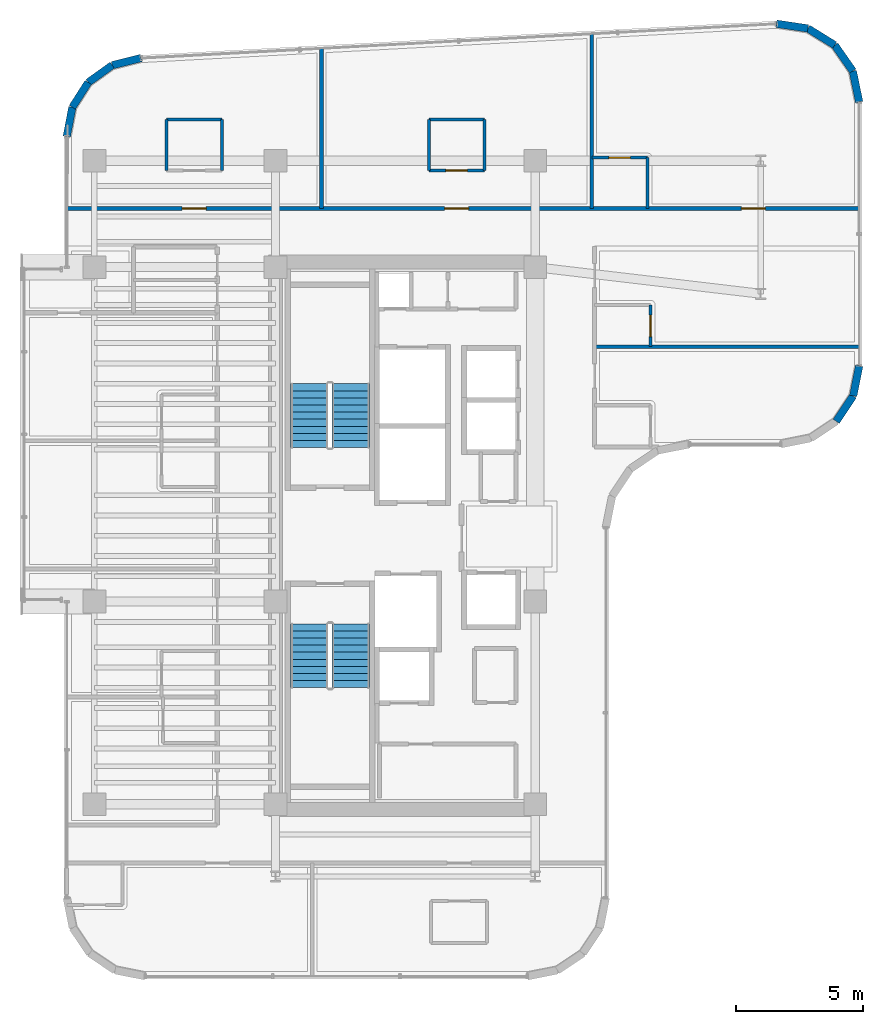
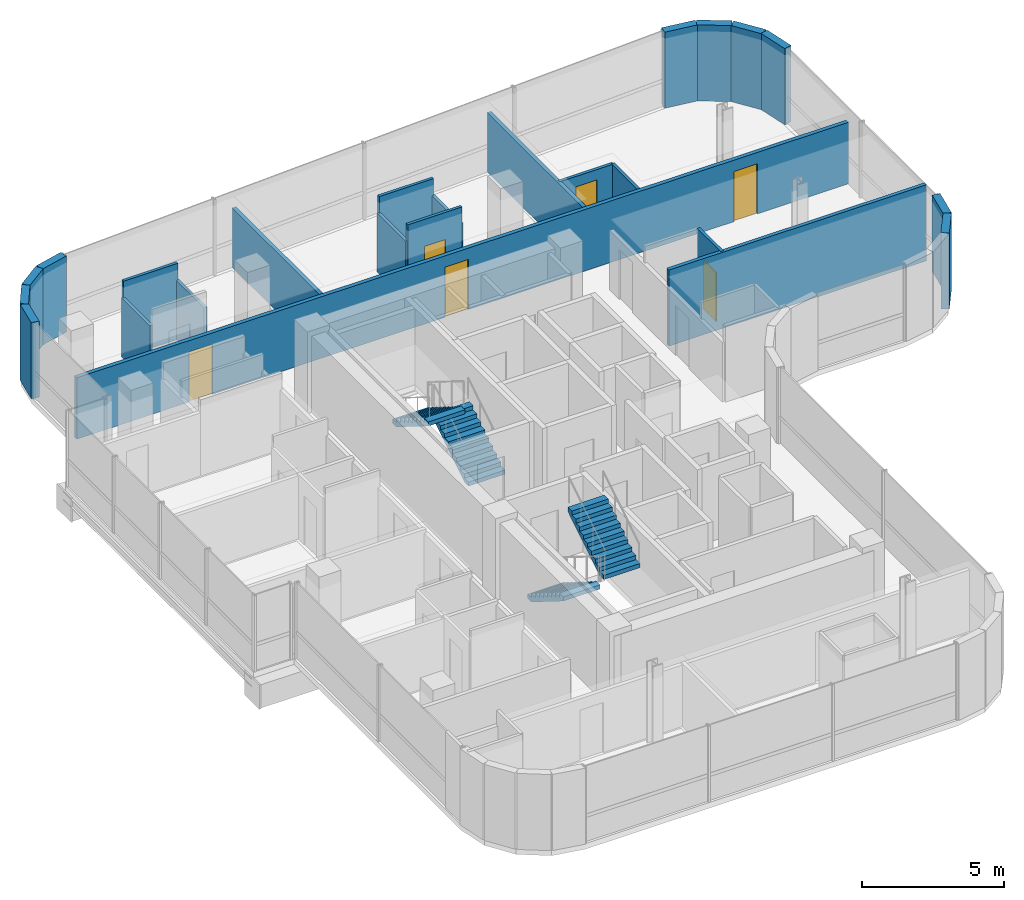
# One storey, part 19 of 22: 24 walls, 6 doors, 4 stair flights, 6 openings, 2 elements without a shape of their own.
"""IFC4 building model written with IfcOpenShell, lengths in metres."""

from ifc_helpers import new_model, si_unit, direction, frame, frame_2d, origin, place, context, subcontext, project, spatial, polyline, rectangle, outline, extrude, material, layer, layer_set, type_object, element, fill, aggregate, save


model = new_model("IFC4")

# Units and contexts
model_context = context("Model", 3, precision=1e-05, world=origin(), true_north=direction((0.0, 1.0)))
body_context = subcontext(model_context, "Body", "Model", "MODEL_VIEW")
ifc_project = project(units=[si_unit("LENGTHUNIT", "METRE"), si_unit("AREAUNIT", "SQUARE_METRE"), si_unit("VOLUMEUNIT", "CUBIC_METRE"), si_unit("PLANEANGLEUNIT", "RADIAN"), si_unit("MASSUNIT", "GRAM", prefix="KILO")], contexts=[model_context])

# Site, building, storey
site_placement = place(None, origin())
site = spatial("IfcSite", under=ifc_project, at=site_placement, CompositionType="ELEMENT")
building_placement = place(site_placement, origin())
building = spatial("IfcBuilding", under=site, at=building_placement, Name="Valdorenza Pilgrim Sanctuary Tower", CompositionType="ELEMENT")
storey_placement = place(building_placement, frame((0.0, 0.0, 212.5)))
storey = spatial("IfcBuildingStorey", under=building, at=storey_placement, Name="L54", CompositionType="ELEMENT", Elevation=212.5)

# Wall, openings, doors
ifc_material_1 = material(Name="Acoustic twin-stud gypsum partition", Category="gypsum")
ifc_layer_1 = layer(ifc_material_1, 0.159912109375, Name="Acoustic twin-stud gypsum partition")
ifc_layer_set_1 = layer_set([ifc_layer_1], Name="Acoustic twin-stud gypsum partition")
wall_type_1 = type_object("IfcWallType", Name="WAL-COR-160", PredefinedType="PARTITIONING", material=ifc_layer_set_1)
wall_1_placement = place(storey_placement, frame((-30.889892578125, 12.919921875, 0.0), z_axis=(0.0, 0.0, 1.0), x_axis=(1.0, 0.0, 0.0)))
wall_1 = element("IfcWall", 1, at=wall_1_placement, inside=storey, type_object=wall_type_1, Name="L54 North Corridor Wall", PredefinedType="PARTITIONING", context=body_context, shape_type="SweptSolid", body=[
    extrude(rectangle(XDim=31.27978515625, YDim=0.159912109375, at=frame_2d((15.639892578125, 0.0))), origin(), (0.0, 0.0, 1.0), 2.634033203125),
])
opening_1_placement = place(wall_1_placement, frame((4.553955078125, 0.0, 0.0)))
opening_1 = element("IfcOpeningElement", 2, at=opening_1_placement, cuts=wall_1, Name="Opening DR-UN1", PredefinedType="OPENING", context=body_context, shape_type="SweptSolid", body=[
    extrude(rectangle(XDim=0.949951171875, YDim=2.14990234375, at=frame_2d((0.47509765625, 1.074951171875))), frame((0.0, 0.0947265625, 0.0), z_axis=(0.0, -1.0, 0.0), x_axis=(1.0, 0.0, 0.0)), (0.0, 0.0, 1.0), 0.189697265625),
])
opening_2_placement = place(wall_1_placement, frame((14.9150390625, 0.0, 0.0)))
opening_2 = element("IfcOpeningElement", 3, at=opening_2_placement, cuts=wall_1, Name="Opening DR-UN1", PredefinedType="OPENING", context=body_context, shape_type="SweptSolid", body=[
    extrude(rectangle(XDim=0.949951171875, YDim=2.14990234375, at=frame_2d((0.47509765625, 1.074951171875))), frame((0.0, 0.0947265625, 0.0), z_axis=(0.0, -1.0, 0.0), x_axis=(1.0, 0.0, 0.0)), (0.0, 0.0, 1.0), 0.189697265625),
])
opening_3_placement = place(wall_1_placement, frame((26.626953125, 0.0, 0.0)))
opening_3 = element("IfcOpeningElement", 4, at=opening_3_placement, cuts=wall_1, Name="Opening DR-UN1", PredefinedType="OPENING", context=body_context, shape_type="SweptSolid", body=[
    extrude(rectangle(XDim=0.949951171875, YDim=2.14990234375, at=frame_2d((0.47509765625, 1.074951171875))), frame((0.0, 0.0947265625, 0.0), z_axis=(0.0, -1.0, 0.0), x_axis=(1.0, 0.0, 0.0)), (0.0, 0.0, 1.0), 0.189697265625),
])
ifc_material_2 = material(Name="Solid-core European oak timber", Category="wood")
door_type_1 = type_object("IfcDoorType", Name="DR-UNIT-950", OperationType="NOTDEFINED", PredefinedType="DOOR", material=ifc_material_2)
door_1_placement = place(opening_1_placement, origin())
door_1 = element("IfcDoor", 5, at=door_1_placement, inside=storey, type_object=door_type_1, Name="L54 North Guest Room L54-N1 Entrance Door", OperationType="SINGLE_SWING_RIGHT", OverallHeight=2.14990234375, OverallWidth=0.949951171875, PredefinedType="DOOR", context=body_context, shape_type="SweptSolid", body=[
    extrude(rectangle(XDim=0.949951171875, YDim=2.14990234375, at=frame_2d((0.47509765625, 1.074951171875))), frame((0.0, 0.02490234375, 0.0), z_axis=(0.0, -1.0, 0.0), x_axis=(1.0, 0.0, 0.0)), (0.0, 0.0, 1.0), 0.050048828125),
])
fill(opening_1, door_1)
door_2_placement = place(opening_2_placement, origin())
door_2 = element("IfcDoor", 6, at=door_2_placement, inside=storey, type_object=door_type_1, Name="L54 North Guest Room L54-N2 Entrance Door", OperationType="SINGLE_SWING_RIGHT", OverallHeight=2.14990234375, OverallWidth=0.949951171875, PredefinedType="DOOR", context=body_context, shape_type="SweptSolid", body=[
    extrude(rectangle(XDim=0.949951171875, YDim=2.14990234375, at=frame_2d((0.47509765625, 1.074951171875))), frame((0.0, 0.02490234375, 0.0), z_axis=(0.0, -1.0, 0.0), x_axis=(1.0, 0.0, 0.0)), (0.0, 0.0, 1.0), 0.050048828125),
])
fill(opening_2, door_2)
door_3_placement = place(opening_3_placement, origin())
door_3 = element("IfcDoor", 7, at=door_3_placement, inside=storey, type_object=door_type_1, Name="L54 North Guest Room L54-N3 Entrance Door", OperationType="SINGLE_SWING_RIGHT", OverallHeight=2.14990234375, OverallWidth=0.949951171875, PredefinedType="DOOR", context=body_context, shape_type="SweptSolid", body=[
    extrude(rectangle(XDim=0.949951171875, YDim=2.14990234375, at=frame_2d((0.47509765625, 1.074951171875))), frame((0.0, 0.02490234375, 0.0), z_axis=(0.0, -1.0, 0.0), x_axis=(1.0, 0.0, 0.0)), (0.0, 0.0, 1.0), 0.050048828125),
])
fill(opening_3, door_3)

# Walls
ifc_material_3 = material(Name="Honed travertine limestone", Category="masonry")
ifc_layer_2 = layer(ifc_material_3, 0.300048828125, Name="Honed travertine limestone")
ifc_layer_set_2 = layer_set([ifc_layer_2], Name="Honed travertine limestone")
wall_type_2 = type_object("IfcWallType", Name="WAL-EXT-300", PredefinedType="SOLIDWALL", material=ifc_layer_set_2)
wall_2_placement = place(storey_placement, frame((-30.889892578125, 15.757568359375, 0.0), z_axis=(0.0, 0.0, 1.0), x_axis=(0.18831542659, 0.982108598938, 0.0)))
element("IfcWall", 8, at=wall_2_placement, inside=storey, type_object=wall_type_2, Name="L54 Rounded Wind-Corner Stone Pier 2", PredefinedType="SOLIDWALL", context=body_context, shape_type="SweptSolid", body=[
    extrude(rectangle(XDim=1.174560546875, YDim=0.300048828125, at=frame_2d((0.58740234375, 0.0))), origin(), (0.0, 0.0, 1.0), 3.260009765625),
])
wall_3_placement = place(storey_placement, frame((-30.668701171875, 16.9111328125, 0.0), z_axis=(0.0, 0.0, 1.0), x_axis=(0.538678781902, 0.84251122837, 0.0)))
element("IfcWall", 9, at=wall_3_placement, inside=storey, type_object=wall_type_2, Name="L54 Rounded Wind-Corner Stone Pier 3", PredefinedType="SOLIDWALL", context=body_context, shape_type="SweptSolid", body=[
    extrude(rectangle(XDim=1.164306640625, YDim=0.300048828125, at=frame_2d((0.58203125, 0.0))), origin(), (0.0, 0.0, 1.0), 3.260009765625),
])
wall_4_placement = place(storey_placement, frame((-30.04150390625, 17.89208984375, 0.0), z_axis=(0.0, 0.0, 1.0), x_axis=(0.812313539683, 0.583220981487, 0.0)))
element("IfcWall", 10, at=wall_4_placement, inside=storey, type_object=wall_type_2, Name="L54 Rounded Wind-Corner Stone Pier 4", PredefinedType="SOLIDWALL", context=body_context, shape_type="SweptSolid", body=[
    extrude(rectangle(XDim=1.163818359375, YDim=0.300048828125, at=frame_2d((0.58203125, 0.0))), origin(), (0.0, 0.0, 1.0), 3.260009765625),
])
wall_5_placement = place(storey_placement, frame((-29.09619140625, 18.57080078125, 0.0), z_axis=(0.0, 0.0, 1.0), x_axis=(0.97050812798, 0.241068400098, 0.0)))
element("IfcWall", 11, at=wall_5_placement, inside=storey, type_object=wall_type_2, Name="L54 Rounded Wind-Corner Stone Pier 5", PredefinedType="SOLIDWALL", context=body_context, shape_type="SweptSolid", body=[
    extrude(rectangle(XDim=1.1748046875, YDim=0.300048828125, at=frame_2d((0.58740234375, 0.0))), origin(), (0.0, 0.0, 1.0), 3.260009765625),
])
wall_6_placement = place(storey_placement, frame((-2.877685546875, 20.20751953125, 0.0), z_axis=(0.0, 0.0, 1.0), x_axis=(0.988902138571, -0.148568369208, 0.0)))
element("IfcWall", 12, at=wall_6_placement, inside=storey, type_object=wall_type_2, Name="L54 Rounded Wind-Corner Stone Pier 7", PredefinedType="SOLIDWALL", context=body_context, shape_type="SweptSolid", body=[
    extrude(rectangle(XDim=1.257080078125, YDim=0.300048828125, at=frame_2d((0.62841796875, 0.0))), origin(), (0.0, 0.0, 1.0), 3.260009765625),
])
wall_7_placement = place(storey_placement, frame((-1.634521484375, 20.020751953125, 0.0), z_axis=(0.0, 0.0, 1.0), x_axis=(0.849646224094, -0.52735310171, 0.0)))
element("IfcWall", 13, at=wall_7_placement, inside=storey, type_object=wall_type_2, Name="L54 Rounded Wind-Corner Stone Pier 8", PredefinedType="SOLIDWALL", context=body_context, shape_type="SweptSolid", body=[
    extrude(rectangle(XDim=1.245361328125, YDim=0.300048828125, at=frame_2d((0.62255859375, 0.0))), origin(), (0.0, 0.0, 1.0), 3.260009765625),
])
wall_8_placement = place(storey_placement, frame((-0.576416015625, 19.364013671875, 0.0), z_axis=(0.0, 0.0, 1.0), x_axis=(0.572304219931, -0.820041389107, 0.0)))
element("IfcWall", 14, at=wall_8_placement, inside=storey, type_object=wall_type_2, Name="L54 Rounded Wind-Corner Stone Pier 9", PredefinedType="SOLIDWALL", context=body_context, shape_type="SweptSolid", body=[
    extrude(rectangle(XDim=1.24560546875, YDim=0.300048828125, at=frame_2d((0.622802734375, 0.0))), origin(), (0.0, 0.0, 1.0), 3.260009765625),
])
wall_9_placement = place(storey_placement, frame((0.136474609375, 18.342529296875, 0.0), z_axis=(0.0, 0.0, 1.0), x_axis=(0.201603599025, -0.979467196419, 0.0)))
element("IfcWall", 15, at=wall_9_placement, inside=storey, type_object=wall_type_2, Name="L54 Rounded Wind-Corner Stone Pier 10", PredefinedType="SOLIDWALL", context=body_context, shape_type="SweptSolid", body=[
    extrude(rectangle(XDim=1.257080078125, YDim=0.300048828125, at=frame_2d((0.62841796875, 0.0))), origin(), (0.0, 0.0, 1.0), 3.260009765625),
])
wall_10_placement = place(storey_placement, frame((0.389892578125, 6.710693359375, 0.0), z_axis=(0.0, 0.0, 1.0), x_axis=(-0.194996050505, -0.980804027463, 0.0)))
element("IfcWall", 16, at=wall_10_placement, inside=storey, type_object=wall_type_2, Name="L54 Rounded Wind-Corner Stone Pier 12", PredefinedType="SOLIDWALL", context=body_context, shape_type="SweptSolid", body=[
    extrude(rectangle(XDim=1.2158203125, YDim=0.300048828125, at=frame_2d((0.60791015625, 0.0))), origin(), (0.0, 0.0, 1.0), 3.260009765625),
])
wall_11_placement = place(storey_placement, frame((0.15283203125, 5.518310546875, 0.0), z_axis=(0.0, 0.0, 1.0), x_axis=(-0.555635100982, -0.831426265255, 0.0)))
element("IfcWall", 17, at=wall_11_placement, inside=storey, type_object=wall_type_2, Name="L54 Rounded Wind-Corner Stone Pier 13", PredefinedType="SOLIDWALL", context=body_context, shape_type="SweptSolid", body=[
    extrude(rectangle(XDim=1.204833984375, YDim=0.300048828125, at=frame_2d((0.6025390625, 0.0))), origin(), (0.0, 0.0, 1.0), 3.260009765625),
])
ifc_material_4 = material(Name="Moisture-resistant gypsum partition", Category="gypsum")
ifc_layer_3 = layer(ifc_material_4, 0.1201171875, Name="Moisture-resistant gypsum partition")
ifc_layer_set_3 = layer_set([ifc_layer_3], Name="Moisture-resistant gypsum partition")
wall_type_3 = type_object("IfcWallType", Name="WAL-INT-120", PredefinedType="PARTITIONING", material=ifc_layer_set_3)
for number, where, z_axis, x_axis, name in (
    (18, (-26.96142578125, 14.419921875, 0.0), (0.0, 0.0, 1.0), (0.0, 1.0, 0.0), "L54 North Guest Room L54-N1 En-suite West Wall"),
    (19, (-24.761474609375, 14.419921875, 0.0), (0.0, 0.0, 1.0), (0.0, 1.0, 0.0), "L54 North Guest Room L54-N1 En-suite East Wall"),
):
    element("IfcWall", number, at=place(storey_placement, frame(where, z_axis=z_axis, x_axis=x_axis)), inside=storey, type_object=wall_type_3, Name=name, PredefinedType="PARTITIONING", context=body_context, shape_type="SweptSolid", body=[
        extrude(rectangle(XDim=2.0, YDim=0.1201171875, at=frame_2d((1.0, 0.0))), origin(), (0.0, 0.0, 1.0), 2.5439453125),
    ])
wall_12_placement = place(storey_placement, frame((-26.96142578125, 16.419921875, 0.0), z_axis=(0.0, 0.0, 1.0), x_axis=(1.0, 0.0, 0.0)))
element("IfcWall", 20, at=wall_12_placement, inside=storey, type_object=wall_type_3, Name="L54 North Guest Room L54-N1 En-suite Back Wall", PredefinedType="PARTITIONING", context=body_context, shape_type="SweptSolid", body=[
    extrude(rectangle(XDim=2.199951171875, YDim=0.1201171875, at=frame_2d((1.10009765625, 0.0))), origin(), (0.0, 0.0, 1.0), 3.260009765625),
])
for number, where, z_axis, x_axis, name in (
    (21, (-16.60009765625, 14.419921875, 0.0), (0.0, 0.0, 1.0), (0.0, 1.0, 0.0), "L54 North Guest Room L54-N2 En-suite West Wall"),
    (22, (-14.39990234375, 14.419921875, 0.0), (0.0, 0.0, 1.0), (0.0, 1.0, 0.0), "L54 North Guest Room L54-N2 En-suite East Wall"),
):
    element("IfcWall", number, at=place(storey_placement, frame(where, z_axis=z_axis, x_axis=x_axis)), inside=storey, type_object=wall_type_3, Name=name, PredefinedType="PARTITIONING", context=body_context, shape_type="SweptSolid", body=[
        extrude(rectangle(XDim=2.0, YDim=0.1201171875, at=frame_2d((1.0, 0.0))), origin(), (0.0, 0.0, 1.0), 2.5439453125),
    ])
wall_13_placement = place(storey_placement, frame((-16.60009765625, 16.419921875, 0.0), z_axis=(0.0, 0.0, 1.0), x_axis=(1.0, 0.0, 0.0)))
element("IfcWall", 23, at=wall_13_placement, inside=storey, type_object=wall_type_3, Name="L54 North Guest Room L54-N2 En-suite Back Wall", PredefinedType="PARTITIONING", context=body_context, shape_type="SweptSolid", body=[
    extrude(rectangle(XDim=2.2001953125, YDim=0.1201171875, at=frame_2d((1.10009765625, 0.0))), origin(), (0.0, 0.0, 1.0), 3.260009765625),
])

# Wall, opening, door
wall_14_placement = place(storey_placement, frame((-16.60009765625, 14.419921875, 0.0), z_axis=(0.0, 0.0, 1.0), x_axis=(1.0, 0.0, 0.0)))
wall_14 = element("IfcWall", 24, at=wall_14_placement, inside=storey, type_object=wall_type_3, Name="L54 North Guest Room L54-N2 En-suite Door Wall", PredefinedType="PARTITIONING", context=body_context, shape_type="SweptSolid", body=[
    extrude(rectangle(XDim=2.2001953125, YDim=0.1201171875, at=frame_2d((1.10009765625, 0.0))), origin(), (0.0, 0.0, 1.0), 3.260009765625),
])
opening_4_placement = place(wall_14_placement, frame((0.675048828125, 0.0, 0.0)))
opening_4 = element("IfcOpeningElement", 25, at=opening_4_placement, cuts=wall_14, Name="Opening DR-WC1", PredefinedType="OPENING", context=body_context, shape_type="SweptSolid", body=[
    extrude(rectangle(XDim=0.85009765625, YDim=2.10009765625, at=frame_2d((0.425048828125, 1.050048828125))), frame((0.0, 0.074951171875, 0.0), z_axis=(0.0, -1.0, 0.0), x_axis=(1.0, 0.0, 0.0)), (0.0, 0.0, 1.0), 0.14990234375),
])
ifc_material_5 = material(Name="Moisture-resistant lacquered timber", Category="wood")
door_type_2 = type_object("IfcDoorType", Name="DR-BATH-850", OperationType="NOTDEFINED", PredefinedType="DOOR", material=ifc_material_5)
door_4_placement = place(opening_4_placement, origin())
door_4 = element("IfcDoor", 26, at=door_4_placement, inside=storey, type_object=door_type_2, Name="L54 North Guest Room L54-N2 En-suite Bathroom Door", OperationType="SINGLE_SWING_LEFT", OverallHeight=2.10009765625, OverallWidth=0.85009765625, PredefinedType="DOOR", context=body_context, shape_type="SweptSolid", body=[
    extrude(rectangle(XDim=0.85009765625, YDim=2.10009765625, at=frame_2d((0.425048828125, 1.050048828125))), frame((0.0, 0.02490234375, 0.0), z_axis=(0.0, -1.0, 0.0), x_axis=(1.0, 0.0, 0.0)), (0.0, 0.0, 1.0), 0.050048828125),
])
fill(opening_4, door_4)

# Wall
wall_15_placement = place(storey_placement, frame((-7.967041015625, 12.919921875, 0.0), z_axis=(0.0, 0.0, 1.0), x_axis=(0.0, 1.0, 0.0)))
element("IfcWall", 27, at=wall_15_placement, inside=storey, type_object=wall_type_3, Name="L54 North Guest Room L54-N3 En-suite East Wall", PredefinedType="PARTITIONING", context=body_context, shape_type="SweptSolid", body=[
    extrude(rectangle(XDim=2.0, YDim=0.1201171875, at=frame_2d((1.0, 0.0))), origin(), (0.0, 0.0, 1.0), 2.5439453125),
])

# Wall, opening, door
wall_16_placement = place(storey_placement, frame((-10.1669921875, 14.919921875, 0.0), z_axis=(0.0, 0.0, 1.0), x_axis=(1.0, 0.0, 0.0)))
wall_16 = element("IfcWall", 28, at=wall_16_placement, inside=storey, type_object=wall_type_3, Name="L54 North Guest Room L54-N3 En-suite Door Wall", PredefinedType="PARTITIONING", context=body_context, shape_type="SweptSolid", body=[
    extrude(rectangle(XDim=2.199951171875, YDim=0.1201171875, at=frame_2d((1.10009765625, 0.0))), origin(), (0.0, 0.0, 1.0), 2.5439453125),
])
opening_5_placement = place(wall_16_placement, frame((0.675048828125, 0.0, 0.0)))
opening_5 = element("IfcOpeningElement", 29, at=opening_5_placement, cuts=wall_16, Name="Opening DR-WC1", PredefinedType="OPENING", context=body_context, shape_type="SweptSolid", body=[
    extrude(rectangle(XDim=0.85009765625, YDim=2.10009765625, at=frame_2d((0.425048828125, 1.050048828125))), frame((0.0, 0.074951171875, 0.0), z_axis=(0.0, -1.0, 0.0), x_axis=(1.0, 0.0, 0.0)), (0.0, 0.0, 1.0), 0.14990234375),
])
door_5_placement = place(opening_5_placement, origin())
door_5 = element("IfcDoor", 30, at=door_5_placement, inside=storey, type_object=door_type_2, Name="L54 North Guest Room L54-N3 En-suite Bathroom Door", OperationType="SINGLE_SWING_LEFT", OverallHeight=2.10009765625, OverallWidth=0.85009765625, PredefinedType="DOOR", context=body_context, shape_type="SweptSolid", body=[
    extrude(rectangle(XDim=0.85009765625, YDim=2.10009765625, at=frame_2d((0.425048828125, 1.050048828125))), frame((0.0, 0.02490234375, 0.0), z_axis=(0.0, -1.0, 0.0), x_axis=(1.0, 0.0, 0.0)), (0.0, 0.0, 1.0), 0.050048828125),
])
fill(opening_5, door_5)

wall_17_placement = place(storey_placement, frame((-7.85009765625, 7.4599609375, 0.0), z_axis=(0.0, 0.0, 1.0), x_axis=(0.0, 1.0, 0.0)))
wall_17 = element("IfcWall", 31, at=wall_17_placement, inside=storey, type_object=wall_type_3, Name="L54 East Sanctuary Guest Room L54-E2 En-suite Door Wall", PredefinedType="PARTITIONING", context=body_context, shape_type="SweptSolid", body=[
    extrude(rectangle(XDim=1.650146484375, YDim=0.1201171875, at=frame_2d((0.8251953125, 0.0))), origin(), (0.0, 0.0, 1.0), 3.260009765625),
])
opening_6_placement = place(wall_17_placement, frame((0.39990234375, 0.0, 0.0)))
opening_6 = element("IfcOpeningElement", 32, at=opening_6_placement, cuts=wall_17, Name="Opening DR-WC1", PredefinedType="OPENING", context=body_context, shape_type="SweptSolid", body=[
    extrude(rectangle(XDim=0.85009765625, YDim=2.10009765625, at=frame_2d((0.425048828125, 1.050048828125))), frame((0.0, 0.074951171875, 0.0), z_axis=(0.0, -1.0, 0.0), x_axis=(1.0, 0.0, 0.0)), (0.0, 0.0, 1.0), 0.14990234375),
])
door_6_placement = place(opening_6_placement, origin())
door_6 = element("IfcDoor", 33, at=door_6_placement, inside=storey, type_object=door_type_2, Name="L54 East Sanctuary Guest Room L54-E2 En-suite Bathroom Door", OperationType="SINGLE_SWING_LEFT", OverallHeight=2.10009765625, OverallWidth=0.85009765625, PredefinedType="DOOR", context=body_context, shape_type="SweptSolid", body=[
    extrude(rectangle(XDim=0.85009765625, YDim=2.10009765625, at=frame_2d((0.425048828125, 1.050048828125))), frame((0.0, 0.02490234375, 0.0), z_axis=(0.0, -1.0, 0.0), x_axis=(1.0, 0.0, 0.0)), (0.0, 0.0, 1.0), 0.050048828125),
])
fill(opening_6, door_6)

# Walls
ifc_layer_4 = layer(ifc_material_1, 0.14990234375, Name="Acoustic twin-stud gypsum partition")
ifc_layer_set_4 = layer_set([ifc_layer_4], Name="Acoustic twin-stud gypsum partition")
wall_type_4 = type_object("IfcWallType", Name="WAL-UNT-150", PredefinedType="PARTITIONING", material=ifc_layer_set_4)
wall_18_placement = place(storey_placement, frame((-20.8330078125, 12.919921875, 0.0), z_axis=(0.0, 0.0, 1.0), x_axis=(0.0, 1.0, 0.0)))
element("IfcWall", 34, at=wall_18_placement, inside=storey, type_object=wall_type_4, Name="L54 North Demising 1", PredefinedType="PARTITIONING", context=body_context, shape_type="SweptSolid", body=[
    extrude(rectangle(XDim=6.318603515625, YDim=0.14990234375, at=frame_2d((3.1591796875, 0.0))), origin(), (0.0, 0.0, 1.0), 2.5439453125),
])
wall_19_placement = place(storey_placement, frame((-10.1669921875, 12.919921875, 0.0), z_axis=(0.0, 0.0, 1.0), x_axis=(0.0, 1.0, 0.0)))
element("IfcWall", 35, at=wall_19_placement, inside=storey, type_object=wall_type_4, Name="L54 North Demising 2", PredefinedType="PARTITIONING", context=body_context, shape_type="SweptSolid", body=[
    extrude(rectangle(XDim=6.894287109375, YDim=0.14990234375, at=frame_2d((3.447265625, 0.0))), origin(), (0.0, 0.0, 1.0), 2.5439453125),
])
wall_20_placement = place(storey_placement, frame((-10.050048828125, 7.4599609375, 0.0), z_axis=(0.0, 0.0, 1.0), x_axis=(1.0, 0.0, 0.0)))
element("IfcWall", 36, at=wall_20_placement, inside=storey, type_object=wall_type_4, Name="L54 East Stub Demising Wall", PredefinedType="PARTITIONING", context=body_context, shape_type="SweptSolid", body=[
    extrude(rectangle(XDim=10.43994140625, YDim=0.14990234375, at=frame_2d((5.219970703125, 0.0))), origin(), (0.0, 0.0, 1.0), 3.260009765625),
])

# Stair, stair flights
ifc_material_6 = material(Name="Concrete C40/50", Category="concrete")
stair_type = type_object("IfcStairType", Name="STR-DOG-CORE", PredefinedType="HALF_TURN_STAIR", material=ifc_material_6)
stair_1_placement = place(storey_placement, origin())
stair_1 = element("IfcStair", 37, at=stair_1_placement, inside=storey, type_object=stair_type, Name="L54 ST-A1", PredefinedType="HALF_TURN_STAIR")
stair_flight_type = type_object("IfcStairFlightType", Name="STF-RC-1400", PredefinedType="STRAIGHT", material=ifc_material_6)
stair_flight_1_placement = place(storey_placement, frame((-19.679931640625, 3.47998046875, 0.0), z_axis=(0.0, 0.0, 1.0), x_axis=(0.0, 1.0, 0.0)))
stair_flight_1 = element("IfcStairFlight", 38, at=stair_flight_1_placement, type_object=stair_flight_type, Name="ST-A1 flight 1", NumberOfRisers=10, NumberOfTreads=9, PredefinedType="STRAIGHT", RiserHeight=0.175, TreadLength=0.28, context=body_context, shape_type="SweptSolid", body=[
    extrude(outline(polyline([(0.0, 0.0), (0.0, 0.175048828125), (0.280029296875, 0.175048828125), (0.280029296875, 0.35009765625), (0.56005859375, 0.35009765625), (0.56005859375, 0.52490234375), (0.840087890625, 0.52490234375), (0.840087890625, 0.699951171875), (1.1201171875, 0.699951171875), (1.1201171875, 0.875), (1.39990234375, 0.875), (1.39990234375, 1.050048828125), (1.679931640625, 1.050048828125), (1.679931640625, 1.22509765625), (1.9599609375, 1.22509765625), (1.9599609375, 1.39990234375), (2.239990234375, 1.39990234375), (2.239990234375, 1.574951171875), (2.52001953125, 1.574951171875), (2.52001953125, 1.75), (2.52001953125, 1.398193359375), (0.28271484375, 0.0), (0.0, 0.0)])), frame((0.0, 0.739990234375, 0.0), z_axis=(0.0, -1.0, 0.0), x_axis=(1.0, 0.0, 0.0)), (0.0, 0.0, 1.0), 1.47998046875),
])
stair_flight_2_placement = place(storey_placement, frame((-21.31005859375, 6.0, 1.75), z_axis=(0.0, 0.0, 1.0), x_axis=(0.0, -1.0, 0.0)))
stair_flight_2 = element("IfcStairFlight", 39, at=stair_flight_2_placement, type_object=stair_flight_type, Name="ST-A1 flight 2", NumberOfRisers=10, NumberOfTreads=9, PredefinedType="STRAIGHT", RiserHeight=0.175, TreadLength=0.28, context=body_context, shape_type="SweptSolid", body=[
    extrude(outline(polyline([(0.0, 0.0), (0.0, 0.175048828125), (0.280029296875, 0.175048828125), (0.280029296875, 0.35009765625), (0.56005859375, 0.35009765625), (0.56005859375, 0.52490234375), (0.840087890625, 0.52490234375), (0.840087890625, 0.699951171875), (1.1201171875, 0.699951171875), (1.1201171875, 0.875), (1.39990234375, 0.875), (1.39990234375, 1.050048828125), (1.679931640625, 1.050048828125), (1.679931640625, 1.22509765625), (1.9599609375, 1.22509765625), (1.9599609375, 1.39990234375), (2.239990234375, 1.39990234375), (2.239990234375, 1.574951171875), (2.52001953125, 1.574951171875), (2.52001953125, 1.75), (2.52001953125, 1.398193359375), (0.28271484375, 0.0), (0.0, 0.0)])), frame((0.0, 0.739990234375, 0.0), z_axis=(0.0, -1.0, 0.0), x_axis=(1.0, 0.0, 0.0)), (0.0, 0.0, 1.0), 1.47998046875),
])
aggregate(stair_1, [stair_flight_1, stair_flight_2])

stair_2_placement = place(storey_placement, origin())
stair_2 = element("IfcStair", 40, at=stair_2_placement, inside=storey, type_object=stair_type, Name="L54 ST-A2", PredefinedType="HALF_TURN_STAIR")
stair_flight_3_placement = place(storey_placement, frame((-21.31005859375, -3.47998046875, 0.0), z_axis=(0.0, 0.0, 1.0), x_axis=(0.0, -1.0, 0.0)))
stair_flight_3 = element("IfcStairFlight", 41, at=stair_flight_3_placement, type_object=stair_flight_type, Name="ST-A2 flight 1", NumberOfRisers=10, NumberOfTreads=9, PredefinedType="STRAIGHT", RiserHeight=0.175, TreadLength=0.28, context=body_context, shape_type="SweptSolid", body=[
    extrude(outline(polyline([(0.0, 0.0), (0.0, 0.175048828125), (0.280029296875, 0.175048828125), (0.280029296875, 0.35009765625), (0.56005859375, 0.35009765625), (0.56005859375, 0.52490234375), (0.840087890625, 0.52490234375), (0.840087890625, 0.699951171875), (1.1201171875, 0.699951171875), (1.1201171875, 0.875), (1.39990234375, 0.875), (1.39990234375, 1.050048828125), (1.679931640625, 1.050048828125), (1.679931640625, 1.22509765625), (1.9599609375, 1.22509765625), (1.9599609375, 1.39990234375), (2.239990234375, 1.39990234375), (2.239990234375, 1.574951171875), (2.52001953125, 1.574951171875), (2.52001953125, 1.75), (2.52001953125, 1.398193359375), (0.28271484375, 0.0), (0.0, 0.0)])), frame((0.0, 0.739990234375, 0.0), z_axis=(0.0, -1.0, 0.0), x_axis=(1.0, 0.0, 0.0)), (0.0, 0.0, 1.0), 1.47998046875),
])
stair_flight_4_placement = place(storey_placement, frame((-19.679931640625, -6.0, 1.75), z_axis=(0.0, 0.0, 1.0), x_axis=(0.0, 1.0, 0.0)))
stair_flight_4 = element("IfcStairFlight", 42, at=stair_flight_4_placement, type_object=stair_flight_type, Name="ST-A2 flight 2", NumberOfRisers=10, NumberOfTreads=9, PredefinedType="STRAIGHT", RiserHeight=0.175, TreadLength=0.28, context=body_context, shape_type="SweptSolid", body=[
    extrude(outline(polyline([(0.0, 0.0), (0.0, 0.175048828125), (0.280029296875, 0.175048828125), (0.280029296875, 0.35009765625), (0.56005859375, 0.35009765625), (0.56005859375, 0.52490234375), (0.840087890625, 0.52490234375), (0.840087890625, 0.699951171875), (1.1201171875, 0.699951171875), (1.1201171875, 0.875), (1.39990234375, 0.875), (1.39990234375, 1.050048828125), (1.679931640625, 1.050048828125), (1.679931640625, 1.22509765625), (1.9599609375, 1.22509765625), (1.9599609375, 1.39990234375), (2.239990234375, 1.39990234375), (2.239990234375, 1.574951171875), (2.52001953125, 1.574951171875), (2.52001953125, 1.75), (2.52001953125, 1.398193359375), (0.28271484375, 0.0), (0.0, 0.0)])), frame((0.0, 0.739990234375, 0.0), z_axis=(0.0, -1.0, 0.0), x_axis=(1.0, 0.0, 0.0)), (0.0, 0.0, 1.0), 1.47998046875),
])
aggregate(stair_2, [stair_flight_3, stair_flight_4])

save(model, "model.ifc")
